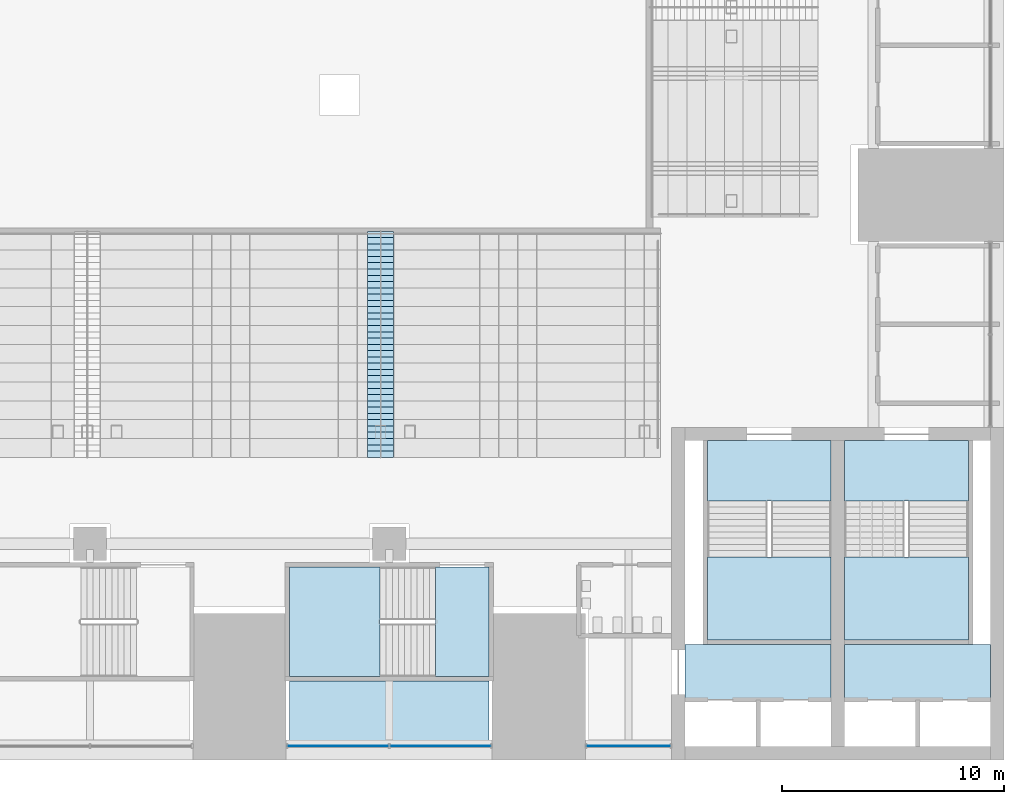
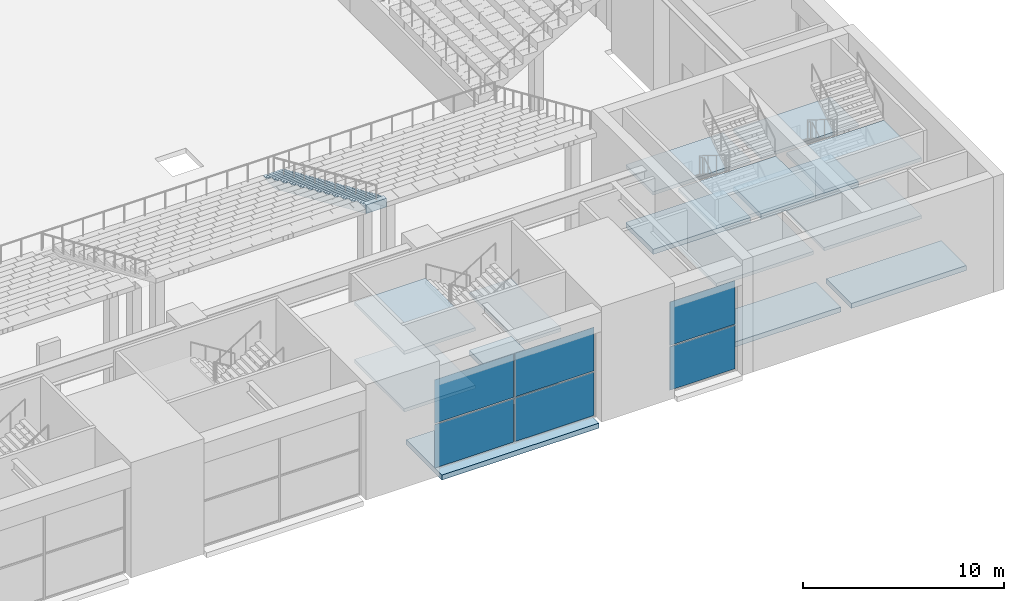
# One storey, part 28 of 62: 16 slabs, 6 plates, 5 elements without a shape of their own.
"""IFC4 building model written with IfcOpenShell, lengths in metres."""

from ifc_helpers import new_model, si_unit, direction, frame, origin, origin_2d, place, context, subcontext, project, spatial, polyline, rectangle, outline, extrude, material, layer, layer_set, type_object, element, aggregate, save


model = new_model("IFC4")

# Units and contexts
model_context = context("Model", 3, precision=1e-05, world=origin(), true_north=direction((0.0, 1.0)))
body_context = subcontext(model_context, "Body", "Model", "MODEL_VIEW")
ifc_project = project(units=[si_unit("LENGTHUNIT", "METRE"), si_unit("AREAUNIT", "SQUARE_METRE"), si_unit("VOLUMEUNIT", "CUBIC_METRE"), si_unit("PLANEANGLEUNIT", "RADIAN"), si_unit("MASSUNIT", "GRAM", prefix="KILO")], contexts=[model_context])

# Site, building, storey
site_placement = place(None, origin())
site = spatial("IfcSite", under=ifc_project, at=site_placement, CompositionType="ELEMENT")
building_placement = place(site_placement, origin())
building = spatial("IfcBuilding", under=site, at=building_placement, Name="Corbelhall Arena Tower", CompositionType="ELEMENT")
storey_placement = place(building_placement, frame((0.0, 0.0, 12.0)))
storey = spatial("IfcBuildingStorey", under=building, at=storey_placement, Name="L01", CompositionType="ELEMENT", Elevation=12.0)

# Slab
ifc_material_1 = material(Name="Precast concrete C40/50", Category="concrete")
ifc_layer_1 = layer(ifc_material_1, 0.25)
ifc_layer_set_1 = layer_set([ifc_layer_1], Name="AISLE STEPS (BC 1029)")
slab_type_1 = type_object("IfcSlabType", Name="AISLE STEPS (BC 1029)", PredefinedType="FLOOR", material=ifc_layer_set_1)
slab_1_placement = place(storey_placement, frame((19.860107421875, -15.14990234375, 2.375), z_axis=(0.0, 0.0, 1.0), x_axis=(0.0, -1.0, 0.0)))
element("IfcSlab", 1, at=slab_1_placement, inside=storey, type_object=slab_type_1, Name="Aisle steps LS-AIS1", PredefinedType="FLOOR", context=body_context, shape_type="SweptSolid", body=[
    extrude(outline(polyline([(0.0, 0.0), (0.0, 0.125), (0.283447265625, 0.125), (0.283447265625, 0.25), (0.566650390625, 0.25), (0.566650390625, 0.375), (0.85009765625, 0.375), (0.85009765625, 0.5), (1.13330078125, 0.5), (1.13330078125, 0.625), (1.416748046875, 0.625), (1.416748046875, 0.75), (1.699951171875, 0.75), (1.699951171875, 0.875), (1.9833984375, 0.875), (1.9833984375, 1.0), (2.2666015625, 1.0), (2.2666015625, 1.125), (2.550048828125, 1.125), (2.550048828125, 1.25), (2.833251953125, 1.25), (2.833251953125, 1.375), (3.11669921875, 1.375), (3.11669921875, 1.5), (3.39990234375, 1.5), (3.39990234375, 1.625), (3.683349609375, 1.625), (3.683349609375, 1.75), (3.966552734375, 1.75), (3.966552734375, 1.875), (4.25, 1.875), (4.25, 2.0), (4.533447265625, 2.0), (4.533447265625, 2.125), (4.816650390625, 2.125), (4.816650390625, 2.25), (5.10009765625, 2.25), (5.10009765625, 2.375), (5.38330078125, 2.375), (5.38330078125, 2.5), (5.666748046875, 2.5), (5.666748046875, 2.625), (5.949951171875, 2.625), (5.949951171875, 2.75), (6.2333984375, 2.75), (6.2333984375, 2.875), (6.5166015625, 2.875), (6.5166015625, 3.0), (6.800048828125, 3.0), (6.800048828125, 3.125), (7.083251953125, 3.125), (7.083251953125, 3.25), (7.36669921875, 3.25), (7.36669921875, 3.375), (7.64990234375, 3.375), (7.64990234375, 3.5), (7.933349609375, 3.5), (7.933349609375, 3.625), (8.216552734375, 3.625), (8.216552734375, 3.75), (8.5, 3.75), (8.5, 3.875), (8.783203125, 3.875), (8.783203125, 4.0), (9.066650390625, 4.0), (9.066650390625, 4.125), (9.35009765625, 4.125), (9.35009765625, 4.25), (9.63330078125, 4.25), (9.63330078125, 4.375), (9.916748046875, 4.375), (9.916748046875, 4.5), (10.199951171875, 4.5), (10.199951171875, 4.625), (10.199951171875, 3.976806640625), (1.18603515625, 0.0), (0.0, 0.0)])), frame((0.0, 0.580078125, 0.0), z_axis=(0.0, -1.0, 0.0), x_axis=(1.0, 0.0, 0.0)), (0.0, 0.0, 1.0), 1.159912109375),
])

# Stair, slabs
ifc_material_2 = material(Name="Reinforced concrete C40/50", Category="concrete")
stair_type = type_object("IfcStairType", Name="AR-EXIT-STAIR", PredefinedType="HALF_TURN_STAIR", material=ifc_material_2)
stair_1_placement = place(storey_placement, origin())
stair_1 = element("IfcStair", 2, at=stair_1_placement, inside=storey, type_object=stair_type, Name="L01 exit stair AS16", PredefinedType="HALF_TURN_STAIR")
ifc_layer_2 = layer(ifc_material_2, 0.199951171875)
ifc_layer_set_2 = layer_set([ifc_layer_2], Name="AR-EXIT-LANDING")
slab_type_2 = type_object("IfcSlabType", Name="AR-EXIT-LANDING", PredefinedType="LANDING", material=ifc_layer_set_2)
slab_2_placement = place(storey_placement, frame((0.0, 0.0, 1.550048828125)))
slab_2 = element("IfcSlab", 3, at=slab_2_placement, type_object=slab_type_2, Name="AS16 landing 1", PredefinedType="LANDING", context=body_context, shape_type="SweptSolid", body=[
    extrude(outline(polyline([(19.830078125, -30.300048828125), (15.75, -30.300048828125), (15.75, -35.25), (19.830078125, -35.25), (19.830078125, -30.300048828125)])), origin(), (0.0, 0.0, 1.0), 0.199951171875),
])
slab_3_placement = place(storey_placement, frame((0.0, 0.0, 3.300048828125)))
slab_3 = element("IfcSlab", 4, at=slab_3_placement, type_object=slab_type_2, Name="AS16 landing 2", PredefinedType="LANDING", context=body_context, shape_type="SweptSolid", body=[
    extrude(outline(polyline([(24.75, -30.300048828125), (22.35009765625, -30.300048828125), (22.35009765625, -35.25), (24.75, -35.25), (24.75, -30.300048828125)])), origin(), (0.0, 0.0, 1.0), 0.199951171875),
])
slab_4_placement = place(storey_placement, frame((0.0, 0.0, 5.050048828125)))
slab_4 = element("IfcSlab", 5, at=slab_4_placement, type_object=slab_type_2, Name="AS16 landing 3", PredefinedType="LANDING", context=body_context, shape_type="SweptSolid", body=[
    extrude(outline(polyline([(19.830078125, -30.300048828125), (15.75, -30.300048828125), (15.75, -35.25), (19.830078125, -35.25), (19.830078125, -30.300048828125)])), origin(), (0.0, 0.0, 1.0), 0.199951171875),
])
aggregate(stair_1, [slab_2, slab_3, slab_4])

stair_2_placement = place(storey_placement, origin())
stair_2 = element("IfcStair", 6, at=stair_2_placement, inside=storey, type_object=stair_type, Name="L01 exit stair AS5", PredefinedType="HALF_TURN_STAIR")
slab_5_placement = place(storey_placement, frame((0.0, 0.0, 1.550048828125)))
slab_5 = element("IfcSlab", 7, at=slab_5_placement, type_object=slab_type_2, Name="AS5 landing 1", PredefinedType="LANDING", context=body_context, shape_type="SweptSolid", body=[
    extrude(outline(polyline([(34.610107421875, -29.840087890625), (34.610107421875, -33.60009765625), (40.199951171875, -33.60009765625), (40.199951171875, -29.840087890625), (34.610107421875, -29.840087890625)])), origin(), (0.0, 0.0, 1.0), 0.199951171875),
])
slab_6_placement = place(storey_placement, frame((0.0, 0.0, 3.300048828125)))
slab_6 = element("IfcSlab", 8, at=slab_6_placement, type_object=slab_type_2, Name="AS5 landing 2", PredefinedType="LANDING", context=body_context, shape_type="SweptSolid", body=[
    extrude(outline(polyline([(34.610107421875, -24.60009765625), (34.610107421875, -27.320068359375), (40.199951171875, -27.320068359375), (40.199951171875, -24.60009765625), (34.610107421875, -24.60009765625)])), origin(), (0.0, 0.0, 1.0), 0.199951171875),
])
slab_7_placement = place(storey_placement, frame((0.0, 0.0, 5.050048828125)))
slab_7 = element("IfcSlab", 9, at=slab_7_placement, type_object=slab_type_2, Name="AS5 landing 3", PredefinedType="LANDING", context=body_context, shape_type="SweptSolid", body=[
    extrude(outline(polyline([(34.610107421875, -29.840087890625), (34.610107421875, -33.60009765625), (40.199951171875, -33.60009765625), (40.199951171875, -29.840087890625), (34.610107421875, -29.840087890625)])), origin(), (0.0, 0.0, 1.0), 0.199951171875),
])
aggregate(stair_2, [slab_5, slab_6, slab_7])

stair_3_placement = place(storey_placement, origin())
stair_3 = element("IfcStair", 10, at=stair_3_placement, inside=storey, type_object=stair_type, Name="L01 exit stair AS6", PredefinedType="HALF_TURN_STAIR")
slab_8_placement = place(storey_placement, frame((0.0, 0.0, 1.550048828125)))
slab_8 = element("IfcSlab", 11, at=slab_8_placement, type_object=slab_type_2, Name="AS6 landing 1", PredefinedType="LANDING", context=body_context, shape_type="SweptSolid", body=[
    extrude(outline(polyline([(40.800048828125, -29.840087890625), (40.800048828125, -33.60009765625), (46.389892578125, -33.60009765625), (46.389892578125, -29.840087890625), (40.800048828125, -29.840087890625)])), origin(), (0.0, 0.0, 1.0), 0.199951171875),
])
slab_9_placement = place(storey_placement, frame((0.0, 0.0, 3.300048828125)))
slab_9 = element("IfcSlab", 12, at=slab_9_placement, type_object=slab_type_2, Name="AS6 landing 2", PredefinedType="LANDING", context=body_context, shape_type="SweptSolid", body=[
    extrude(outline(polyline([(40.800048828125, -24.60009765625), (40.800048828125, -27.320068359375), (46.389892578125, -27.320068359375), (46.389892578125, -24.60009765625), (40.800048828125, -24.60009765625)])), origin(), (0.0, 0.0, 1.0), 0.199951171875),
])
slab_10_placement = place(storey_placement, frame((0.0, 0.0, 5.050048828125)))
slab_10 = element("IfcSlab", 13, at=slab_10_placement, type_object=slab_type_2, Name="AS6 landing 3", PredefinedType="LANDING", context=body_context, shape_type="SweptSolid", body=[
    extrude(outline(polyline([(40.800048828125, -29.840087890625), (40.800048828125, -33.60009765625), (46.389892578125, -33.60009765625), (46.389892578125, -29.840087890625), (40.800048828125, -29.840087890625)])), origin(), (0.0, 0.0, 1.0), 0.199951171875),
])
aggregate(stair_3, [slab_8, slab_9, slab_10])

# Slabs
ifc_layer_3 = layer(ifc_material_2, 0.300048828125)
ifc_layer_set_3 = layer_set([ifc_layer_3], Name="AR-STAIR-FLOOR")
slab_type_3 = type_object("IfcSlabType", Name="AR-STAIR-FLOOR", PredefinedType="FLOOR", material=ifc_layer_set_3)
slab_11_placement = place(storey_placement, frame((0.0, 0.0, -0.300048828125)))
element("IfcSlab", 14, at=slab_11_placement, inside=storey, type_object=slab_type_3, Name="Stair AS16 floor", PredefinedType="FLOOR", context=body_context, shape_type="SweptSolid", body=[
    extrude(outline(polyline([(24.75, -30.300048828125), (24.75, -35.25), (22.346923828125, -35.25), (22.346923828125, -30.300048828125), (24.75, -30.300048828125)])), origin(), (0.0, 0.0, 1.0), 0.300048828125),
])
slab_12_placement = place(storey_placement, frame((0.0, 0.0, -0.300048828125)))
element("IfcSlab", 15, at=slab_12_placement, inside=storey, type_object=slab_type_3, Name="Stair AS5 floor", PredefinedType="FLOOR", context=body_context, shape_type="SweptSolid", body=[
    extrude(outline(polyline([(34.610107421875, -24.60009765625), (40.199951171875, -24.60009765625), (40.199951171875, -27.322998046875), (34.610107421875, -27.322998046875), (34.610107421875, -24.60009765625)])), origin(), (0.0, 0.0, 1.0), 0.300048828125),
])
slab_13_placement = place(storey_placement, frame((0.0, 0.0, -0.300048828125)))
element("IfcSlab", 16, at=slab_13_placement, inside=storey, type_object=slab_type_3, Name="Stair AS6 floor", PredefinedType="FLOOR", context=body_context, shape_type="SweptSolid", body=[
    extrude(outline(polyline([(40.800048828125, -24.60009765625), (46.389892578125, -24.60009765625), (46.389892578125, -27.322998046875), (40.800048828125, -27.322998046875), (40.800048828125, -24.60009765625)])), origin(), (0.0, 0.0, 1.0), 0.300048828125),
])
slab_14_placement = place(storey_placement, frame((0.0, 0.0, -0.300048828125)))
element("IfcSlab", 17, at=slab_14_placement, inside=storey, type_object=slab_type_3, Name="Lift lobby floor SE", PredefinedType="FLOOR", context=body_context, shape_type="SweptSolid", body=[
    extrude(outline(polyline([(40.199951171875, -36.300048828125), (40.199951171875, -33.800048828125), (33.60009765625, -33.800048828125), (33.60009765625, -36.300048828125), (40.199951171875, -36.300048828125)])), origin(), (0.0, 0.0, 1.0), 0.300048828125),
])
slab_15_placement = place(storey_placement, frame((0.0, 0.0, -0.300048828125)))
element("IfcSlab", 18, at=slab_15_placement, inside=storey, type_object=slab_type_3, Name="Lift lobby floor SE", PredefinedType="FLOOR", context=body_context, shape_type="SweptSolid", body=[
    extrude(outline(polyline([(47.39990234375, -36.300048828125), (47.39990234375, -33.800048828125), (40.800048828125, -33.800048828125), (40.800048828125, -36.300048828125), (47.39990234375, -36.300048828125)])), origin(), (0.0, 0.0, 1.0), 0.300048828125),
])

# Curtain wall, plates
ifc_material_3 = material(Name="Aluminium black anodised", Category="aluminium")
ifc_layer_4 = layer(ifc_material_3, 0.239990234375)
ifc_layer_set_4 = layer_set([ifc_layer_4], Name="EV-CW4 Arena concourse glazing")
curtain_wall_type = type_object("IfcCurtainWallType", Name="EV-CW4 Arena concourse glazing", PredefinedType="NOTDEFINED", material=ifc_layer_set_4)
curtain_wall_1_placement = place(storey_placement, origin())
curtain_wall_1 = element("IfcCurtainWall", 19, at=curtain_wall_1_placement, inside=storey, type_object=curtain_wall_type, Name="Curtain wall CW4", PredefinedType="NOTDEFINED")
ifc_material_4 = material(Name="Glass dark tinted laminated", Category="glass")
ifc_layer_5 = layer(ifc_material_4, 0.028076171875)
ifc_layer_set_5 = layer_set([ifc_layer_5], Name="EV-CW4-PANEL")
plate_type = type_object("IfcPlateType", Name="EV-CW4-PANEL", PredefinedType="CURTAIN_PANEL", material=ifc_layer_set_5)
plate_1_placement = place(storey_placement, frame((17.94384765625, -38.3798828125, 0.0751953125), z_axis=(0.0, 0.0, 1.0), x_axis=(1.0, 0.0, 0.0)))
plate_1 = element("IfcPlate", 20, at=plate_1_placement, type_object=plate_type, Name="CW4 panel 1.1", PredefinedType="CURTAIN_PANEL", context=body_context, shape_type="SweptSolid", body=[
    extrude(rectangle(XDim=4.53759765625, YDim=0.028076171875, at=origin_2d()), origin(), (0.0, 0.0, 1.0), 2.637451171875),
])
plate_2_placement = place(storey_placement, frame((17.94384765625, -38.3798828125, 2.78759765625), z_axis=(0.0, 0.0, 1.0), x_axis=(1.0, 0.0, 0.0)))
plate_2 = element("IfcPlate", 21, at=plate_2_placement, type_object=plate_type, Name="CW4 panel 1.2", PredefinedType="CURTAIN_PANEL", context=body_context, shape_type="SweptSolid", body=[
    extrude(rectangle(XDim=4.53759765625, YDim=0.028076171875, at=origin_2d()), origin(), (0.0, 0.0, 1.0), 2.637451171875),
])
plate_3_placement = place(storey_placement, frame((22.55615234375, -38.3798828125, 0.0751953125), z_axis=(0.0, 0.0, 1.0), x_axis=(1.0, 0.0, 0.0)))
plate_3 = element("IfcPlate", 22, at=plate_3_placement, type_object=plate_type, Name="CW4 panel 2.1", PredefinedType="CURTAIN_PANEL", context=body_context, shape_type="SweptSolid", body=[
    extrude(rectangle(XDim=4.53759765625, YDim=0.028076171875, at=origin_2d()), origin(), (0.0, 0.0, 1.0), 2.637451171875),
])
plate_4_placement = place(storey_placement, frame((22.55615234375, -38.3798828125, 2.78759765625), z_axis=(0.0, 0.0, 1.0), x_axis=(1.0, 0.0, 0.0)))
plate_4 = element("IfcPlate", 23, at=plate_4_placement, type_object=plate_type, Name="CW4 panel 2.2", PredefinedType="CURTAIN_PANEL", context=body_context, shape_type="SweptSolid", body=[
    extrude(rectangle(XDim=4.53759765625, YDim=0.028076171875, at=origin_2d()), origin(), (0.0, 0.0, 1.0), 2.637451171875),
])
aggregate(curtain_wall_1, [plate_1, plate_2, plate_3, plate_4])

curtain_wall_2_placement = place(storey_placement, origin())
curtain_wall_2 = element("IfcCurtainWall", 24, at=curtain_wall_2_placement, inside=storey, type_object=curtain_wall_type, Name="Curtain wall CW4A", PredefinedType="NOTDEFINED")
plate_5_placement = place(storey_placement, frame((31.050048828125, -38.3798828125, 0.0751953125), z_axis=(0.0, 0.0, 1.0), x_axis=(1.0, 0.0, 0.0)))
plate_5 = element("IfcPlate", 25, at=plate_5_placement, type_object=plate_type, Name="CW4A panel 1.1", PredefinedType="CURTAIN_PANEL", context=body_context, shape_type="SweptSolid", body=[
    extrude(rectangle(XDim=3.75, YDim=0.028076171875, at=origin_2d()), origin(), (0.0, 0.0, 1.0), 2.637451171875),
])
plate_6_placement = place(storey_placement, frame((31.050048828125, -38.3798828125, 2.78759765625), z_axis=(0.0, 0.0, 1.0), x_axis=(1.0, 0.0, 0.0)))
plate_6 = element("IfcPlate", 26, at=plate_6_placement, type_object=plate_type, Name="CW4A panel 1.2", PredefinedType="CURTAIN_PANEL", context=body_context, shape_type="SweptSolid", body=[
    extrude(rectangle(XDim=3.75, YDim=0.028076171875, at=origin_2d()), origin(), (0.0, 0.0, 1.0), 2.637451171875),
])
aggregate(curtain_wall_2, [plate_5, plate_6])

# Slab
ifc_material_5 = material(Name="Concrete C32/40", Category="concrete")
ifc_layer_6 = layer(ifc_material_5, 0.300048828125)
ifc_layer_set_6 = layer_set([ifc_layer_6], Name="PO-FLOOR-SLAB")
slab_type_4 = type_object("IfcSlabType", Name="PO-FLOOR-SLAB", PredefinedType="FLOOR", material=ifc_layer_set_6)
slab_16_placement = place(storey_placement, frame((0.0, 0.0, -0.300048828125)))
element("IfcSlab", 27, at=slab_16_placement, inside=storey, type_object=slab_type_4, Name="FLOOR SLAB L01 8", PredefinedType="FLOOR", context=body_context, shape_type="SweptSolid", body=[
    extrude(outline(polyline([(15.75, -39.0), (15.75, -35.449951171875), (24.75, -35.449951171875), (24.75, -39.0), (15.75, -39.0)])), origin(), (0.0, 0.0, 1.0), 0.300048828125),
])

save(model, "model.ifc")
